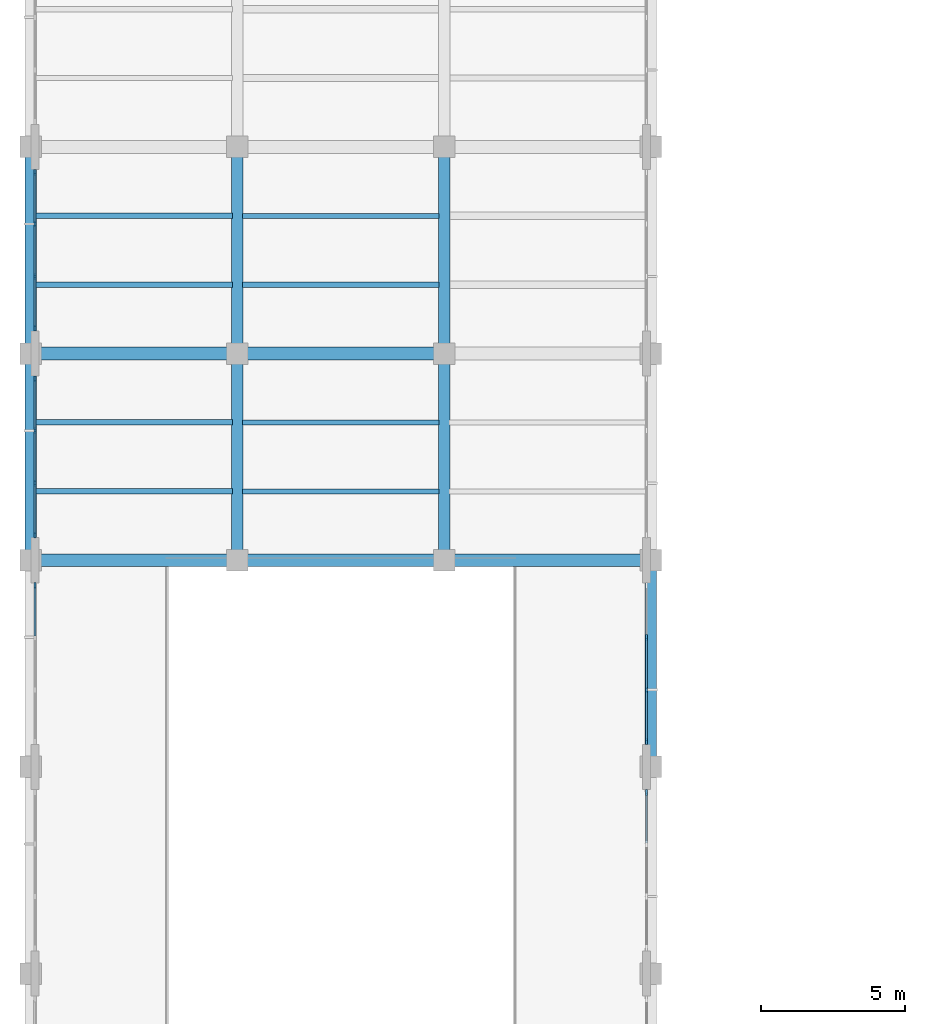
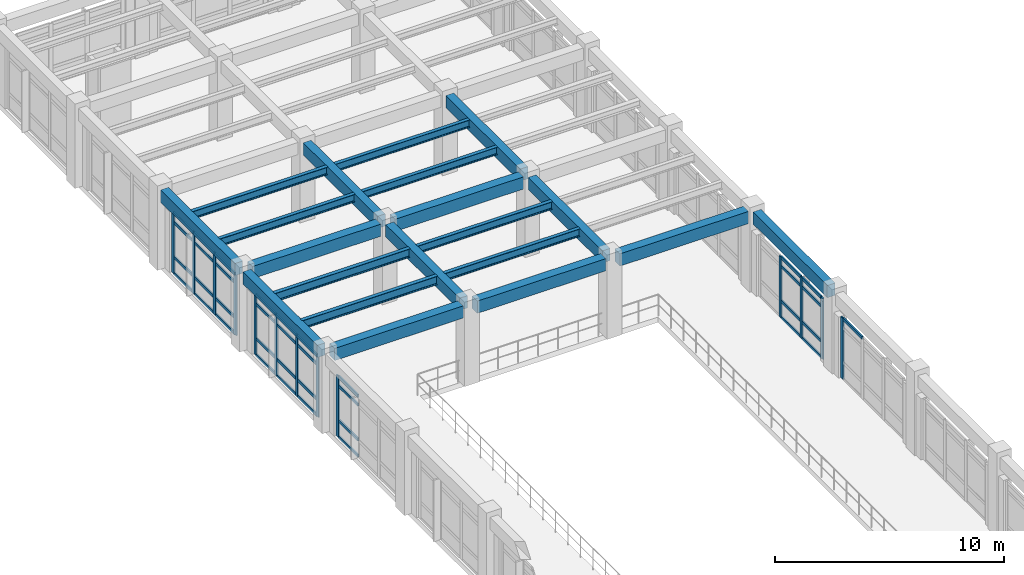
# One storey, part 10 of 64: 50 members, 20 beams, 5 elements without a shape of their own.
"""IFC4 building model written with IfcOpenShell, lengths in metres."""

from ifc_helpers import new_model, si_unit, direction, frame, origin, origin_2d, place, context, subcontext, project, spatial, rectangle, i_section, extrude, material, layer, layer_set, material_profile, profile_set, type_object, element, aggregate, save


model = new_model("IFC4")

# Units and contexts
model_context = context("Model", 3, precision=1e-05, world=origin(), true_north=direction((0.0, 1.0)))
body_context = subcontext(model_context, "Body", "Model", "MODEL_VIEW")
ifc_project = project(units=[si_unit("LENGTHUNIT", "METRE"), si_unit("AREAUNIT", "SQUARE_METRE"), si_unit("VOLUMEUNIT", "CUBIC_METRE"), si_unit("PLANEANGLEUNIT", "RADIAN"), si_unit("MASSUNIT", "GRAM", prefix="KILO")], contexts=[model_context])

# Site, building, storey
site_placement = place(None, origin())
site = spatial("IfcSite", under=ifc_project, at=site_placement, CompositionType="ELEMENT")
building_placement = place(site_placement, origin())
building = spatial("IfcBuilding", under=site, at=building_placement, Name="Solenvale Faculty of Natural Sciences", CompositionType="ELEMENT")
storey_placement = place(building_placement, frame((0.0, 0.0, 18.0)))
storey = spatial("IfcBuildingStorey", under=building, at=storey_placement, Name="L04", CompositionType="ELEMENT", Elevation=18.0)

# Beams
ifc_material_1 = material(Name="Concrete 40 MPa", Category="concrete")
ifc_material_profile_1 = material_profile(ifc_material_1, rectangle(XDim=0.39990234375, YDim=0.64990234375, at=origin_2d()), Name="RC-BM-400x650")
ifc_profile_set_1 = profile_set([ifc_material_profile_1], Name="Concrete 40 MPa")
beam_type_1 = type_object("IfcBeamType", Name="BM-RC-400x650", PredefinedType="BEAM", material=ifc_profile_set_1)
for number, where, z_axis, x_axis, name in (
    (1, (36.0, 65.155029296875, 3.89501953125), (0.0, 1.0, 0.0), (-1.0, 0.0, 0.0), "L04 Y-Girder X36.0 (64.8..72.0)"),
    (2, (36.0, 72.35498046875, 3.89501953125), (0.0, 1.0, 0.0), (-1.0, 0.0, 0.0), "L04 Y-Girder X36.0 (72.0..79.2)"),
    (3, (43.199951171875, 65.155029296875, 3.89501953125), (0.0, 1.0, 0.0), (-1.0, 0.0, 0.0), "L04 Y-Girder X43.2 (64.8..72.0)"),
    (4, (43.199951171875, 72.35498046875, 3.89501953125), (0.0, 1.0, 0.0), (-1.0, 0.0, 0.0), "L04 Y-Girder X43.2 (72.0..79.2)"),
    (5, (50.39990234375, 65.155029296875, 3.89501953125), (0.0, 1.0, 0.0), (-1.0, 0.0, 0.0), "L04 Y-Girder X50.4 (64.8..72.0)"),
    (6, (50.39990234375, 72.35498046875, 3.89501953125), (0.0, 1.0, 0.0), (-1.0, 0.0, 0.0), "L04 Y-Girder X50.4 (72.0..79.2)"),
    (7, (57.60009765625, 57.955078125, 3.89501953125), (0.0, 1.0, 0.0), (-1.0, 0.0, 0.0), "L04 Y-Girder X57.6 (57.6..64.8)"),
):
    element("IfcBeam", number, at=place(storey_placement, frame(where, z_axis=z_axis, x_axis=x_axis)), inside=storey, type_object=beam_type_1, Name=name, PredefinedType="BEAM", context=body_context, shape_type="SweptSolid", body=[
        extrude(rectangle(XDim=0.39990234375, YDim=0.64990234375, at=origin_2d()), origin(), (0.0, 0.0, 1.0), 6.489990234375),
    ])
ifc_material_profile_2 = material_profile(ifc_material_1, rectangle(XDim=0.449951171875, YDim=0.64990234375, at=origin_2d()), Name="RC-BM-450x650")
ifc_profile_set_2 = profile_set([ifc_material_profile_2], Name="Concrete 40 MPa")
beam_type_2 = type_object("IfcBeamType", Name="BM-RC-450x650", PredefinedType="BEAM", material=ifc_profile_set_2)
for number, where, z_axis, x_axis, name in (
    (8, (36.35498046875, 64.800048828125, 3.89501953125), (1.0, 0.0, 0.0), (0.0, 1.0, 0.0), "L04 X-Girder Y64.8 (36.0..43.2)"),
    (9, (43.554931640625, 64.800048828125, 3.89501953125), (1.0, 0.0, 0.0), (0.0, 1.0, 0.0), "L04 X-Girder Y64.8 (43.2..50.4)"),
):
    element("IfcBeam", number, at=place(storey_placement, frame(where, z_axis=z_axis, x_axis=x_axis)), inside=storey, type_object=beam_type_2, Name=name, PredefinedType="BEAM", context=body_context, shape_type="SweptSolid", body=[
        extrude(rectangle(XDim=0.449951171875, YDim=0.64990234375, at=origin_2d()), origin(), (0.0, 0.0, 1.0), 6.489990234375),
    ])
beam_placement = place(storey_placement, frame((50.7548828125, 64.800048828125, 3.89501953125), z_axis=(1.0, 0.0, 0.0), x_axis=(0.0, 1.0, 0.0)))
element("IfcBeam", 10, at=beam_placement, inside=storey, type_object=beam_type_2, Name="L04 X-Girder Y64.8 (50.4..57.6)", PredefinedType="BEAM", context=body_context, shape_type="SweptSolid", body=[
    extrude(rectangle(XDim=0.449951171875, YDim=0.64990234375, at=origin_2d()), origin(), (0.0, 0.0, 1.0), 6.490234375),
])
for number, where, z_axis, x_axis, name in (
    (11, (36.35498046875, 72.0, 3.89501953125), (1.0, 0.0, 0.0), (0.0, 1.0, 0.0), "L04 X-Girder Y72.0 (36.0..43.2)"),
    (12, (43.554931640625, 72.0, 3.89501953125), (1.0, 0.0, 0.0), (0.0, 1.0, 0.0), "L04 X-Girder Y72.0 (43.2..50.4)"),
):
    element("IfcBeam", number, at=place(storey_placement, frame(where, z_axis=z_axis, x_axis=x_axis)), inside=storey, type_object=beam_type_2, Name=name, PredefinedType="BEAM", context=body_context, shape_type="SweptSolid", body=[
        extrude(rectangle(XDim=0.449951171875, YDim=0.64990234375, at=origin_2d()), origin(), (0.0, 0.0, 1.0), 6.489990234375),
    ])
ifc_material_2 = material(Name="Steel S355", Category="steel")
ifc_material_profile_3 = material_profile(ifc_material_2, i_section(OverallWidth=0.178955078125, OverallDepth=0.409912109375, WebThickness=0.0087890625, FlangeThickness=0.014404296875, FilletRadius=0.01611328125, at=origin_2d()), Name="W410x67")
ifc_profile_set_3 = profile_set([ifc_material_profile_3], Name="Steel S355")
beam_type_3 = type_object("IfcBeamType", Name="BM-STL-W410x67", PredefinedType="JOIST", material=ifc_profile_set_3)
for number, where, z_axis, x_axis, name in (
    (13, (43.3798828125, 74.39990234375, 4.014892578125), (1.0, 0.0, 0.0), (0.0, 1.0, 0.0), "L04 Composite Floor Joist (7,11).1"),
    (14, (43.3798828125, 76.800048828125, 4.014892578125), (1.0, 0.0, 0.0), (0.0, 1.0, 0.0), "L04 Composite Floor Joist (7,11).2"),
):
    element("IfcBeam", number, at=place(storey_placement, frame(where, z_axis=z_axis, x_axis=x_axis)), inside=storey, type_object=beam_type_3, Name=name, PredefinedType="JOIST", context=body_context, shape_type="SweptSolid", body=[
        extrude(i_section(OverallWidth=0.178955078125, OverallDepth=0.409912109375, WebThickness=0.0087890625, FlangeThickness=0.014404296875, FilletRadius=0.01611328125, at=origin_2d()), origin(), (0.0, 0.0, 1.0), 6.840087890625),
    ])
ifc_material_profile_4 = material_profile(ifc_material_2, i_section(OverallWidth=0.180908203125, OverallDepth=0.4169921875, WebThickness=0.010986328125, FlangeThickness=0.018310546875, FilletRadius=0.01611328125, at=origin_2d()), Name="W410x85")
ifc_profile_set_4 = profile_set([ifc_material_profile_4], Name="Steel S355")
beam_type_4 = type_object("IfcBeamType", Name="BM-STL-W410x85", PredefinedType="JOIST", material=ifc_profile_set_4)
for number, where, z_axis, x_axis, name in (
    (15, (36.179931640625, 74.39990234375, 4.011474609375), (1.0, 0.0, 0.0), (0.0, 1.0, 0.0), "L04 Composite Floor Joist (6,11).1"),
    (16, (36.179931640625, 76.800048828125, 4.011474609375), (1.0, 0.0, 0.0), (0.0, 1.0, 0.0), "L04 Composite Floor Joist (6,11).2"),
    (17, (43.3798828125, 67.199951171875, 4.011474609375), (1.0, 0.0, 0.0), (0.0, 1.0, 0.0), "L04 Composite Floor Joist (7,10).1"),
    (18, (43.3798828125, 69.60009765625, 4.011474609375), (1.0, 0.0, 0.0), (0.0, 1.0, 0.0), "L04 Composite Floor Joist (7,10).2"),
):
    element("IfcBeam", number, at=place(storey_placement, frame(where, z_axis=z_axis, x_axis=x_axis)), inside=storey, type_object=beam_type_4, Name=name, PredefinedType="JOIST", context=body_context, shape_type="SweptSolid", body=[
        extrude(i_section(OverallWidth=0.180908203125, OverallDepth=0.4169921875, WebThickness=0.010986328125, FlangeThickness=0.018310546875, FilletRadius=0.01611328125, at=origin_2d()), origin(), (0.0, 0.0, 1.0), 6.840087890625),
    ])
ifc_material_profile_5 = material_profile(ifc_material_2, i_section(OverallWidth=0.19091796875, OverallDepth=0.4599609375, WebThickness=0.010009765625, FlangeThickness=0.01611328125, FilletRadius=0.01806640625, at=origin_2d()), Name="W460x82")
ifc_profile_set_5 = profile_set([ifc_material_profile_5], Name="Steel S355")
beam_type_5 = type_object("IfcBeamType", Name="BM-STL-W460x82", PredefinedType="JOIST", material=ifc_profile_set_5)
for number, where, z_axis, x_axis, name in (
    (19, (36.179931640625, 67.199951171875, 3.989990234375), (1.0, 0.0, 0.0), (0.0, 1.0, 0.0), "L04 Composite Floor Joist (6,10).1"),
    (20, (36.179931640625, 69.60009765625, 3.989990234375), (1.0, 0.0, 0.0), (0.0, 1.0, 0.0), "L04 Composite Floor Joist (6,10).2"),
):
    element("IfcBeam", number, at=place(storey_placement, frame(where, z_axis=z_axis, x_axis=x_axis)), inside=storey, type_object=beam_type_5, Name=name, PredefinedType="JOIST", context=body_context, shape_type="SweptSolid", body=[
        extrude(i_section(OverallWidth=0.19091796875, OverallDepth=0.4599609375, WebThickness=0.010009765625, FlangeThickness=0.01611328125, FilletRadius=0.01806640625, at=origin_2d()), origin(), (0.0, 0.0, 1.0), 6.840087890625),
    ])

# Curtain wall, member
ifc_material_3 = material(Name="Anodised bronze aluminium", Category="aluminium")
ifc_layer = layer(ifc_material_3, 0.215087890625)
ifc_layer_set = layer_set([ifc_layer], Name="Anodised bronze aluminium")
curtain_wall_type = type_object("IfcCurtainWallType", Name="CW-ATR-UNIT", PredefinedType="USERDEFINED", material=ifc_layer_set)
curtain_wall_1_placement = place(storey_placement, origin())
curtain_wall_1 = element("IfcCurtainWall", 21, at=curtain_wall_1_placement, inside=storey, type_object=curtain_wall_type, Name="L04 Curtain Wall CW-L04-P1-E1-B3", ObjectType="UNITISED CURTAIN WALL", PredefinedType="USERDEFINED")
ifc_material_profile_6 = material_profile(ifc_material_3, rectangle(XDim=0.074951171875, YDim=0.2099609375, at=origin_2d()), Name="ALU-MUL-75x210")
ifc_profile_set_6 = profile_set([ifc_material_profile_6], Name="Anodised bronze aluminium")
member_type_1 = type_object("IfcMemberType", Name="CWM-ALU-75x210", PredefinedType="MULLION", material=ifc_profile_set_6)
member_1_placement = place(storey_placement, frame((57.45751953125, 56.71240234375, 0.0), z_axis=(0.0, 0.0, 1.0), x_axis=(-1.0, 0.0, 0.0)))
member_1 = element("IfcMember", 22, at=member_1_placement, type_object=member_type_1, Name="CW-01 mullion 4", PredefinedType="MULLION", context=body_context, shape_type="SweptSolid", body=[
    extrude(rectangle(XDim=0.074951171875, YDim=0.2099609375, at=origin_2d()), origin(), (0.0, 0.0, 1.0), 3.260009765625),
])

# Curtain wall, members
curtain_wall_2_placement = place(storey_placement, origin())
curtain_wall_2 = element("IfcCurtainWall", 23, at=curtain_wall_2_placement, inside=storey, type_object=curtain_wall_type, Name="L04 Curtain Wall CW-L04-P1-E1-B4", ObjectType="UNITISED CURTAIN WALL", PredefinedType="USERDEFINED")
member_2_placement = place(storey_placement, frame((57.45751953125, 58.487548828125, 0.0), z_axis=(0.0, 0.0, 1.0), x_axis=(-1.0, 0.0, 0.0)))
member_2 = element("IfcMember", 24, at=member_2_placement, type_object=member_type_1, Name="CW-01 mullion 1", PredefinedType="MULLION", context=body_context, shape_type="SweptSolid", body=[
    extrude(rectangle(XDim=0.074951171875, YDim=0.2099609375, at=origin_2d()), origin(), (0.0, 0.0, 1.0), 3.260009765625),
])
member_3_placement = place(storey_placement, frame((57.45751953125, 60.283447265625, 0.0), z_axis=(0.0, 0.0, 1.0), x_axis=(-1.0, 0.0, 0.0)))
member_3 = element("IfcMember", 25, at=member_3_placement, type_object=member_type_1, Name="CW-01 mullion 2", PredefinedType="MULLION", context=body_context, shape_type="SweptSolid", body=[
    extrude(rectangle(XDim=0.074951171875, YDim=0.2099609375, at=origin_2d()), origin(), (0.0, 0.0, 1.0), 3.260009765625),
])
member_4_placement = place(storey_placement, frame((57.45751953125, 62.11669921875, 0.0), z_axis=(0.0, 0.0, 1.0), x_axis=(-1.0, 0.0, 0.0)))
member_4 = element("IfcMember", 26, at=member_4_placement, type_object=member_type_1, Name="CW-01 mullion 3", PredefinedType="MULLION", context=body_context, shape_type="SweptSolid", body=[
    extrude(rectangle(XDim=0.074951171875, YDim=0.2099609375, at=origin_2d()), origin(), (0.0, 0.0, 1.0), 3.260009765625),
])

curtain_wall_3_placement = place(storey_placement, origin())
curtain_wall_3 = element("IfcCurtainWall", 27, at=curtain_wall_3_placement, inside=storey, type_object=curtain_wall_type, Name="L04 Curtain Wall CW-L04-P1-E3-B3", ObjectType="UNITISED CURTAIN WALL", PredefinedType="USERDEFINED")
member_5_placement = place(storey_placement, frame((36.142578125, 78.3125, 0.0), z_axis=(0.0, 0.0, 1.0), x_axis=(1.0, 0.0, 0.0)))
member_5 = element("IfcMember", 28, at=member_5_placement, type_object=member_type_1, Name="CW-01 mullion 1", PredefinedType="MULLION", context=body_context, shape_type="SweptSolid", body=[
    extrude(rectangle(XDim=0.074951171875, YDim=0.2099609375, at=origin_2d()), origin(), (0.0, 0.0, 1.0), 3.260009765625),
])
member_6_placement = place(storey_placement, frame((36.142578125, 76.5166015625, 0.0), z_axis=(0.0, 0.0, 1.0), x_axis=(1.0, 0.0, 0.0)))
member_6 = element("IfcMember", 29, at=member_6_placement, type_object=member_type_1, Name="CW-01 mullion 2", PredefinedType="MULLION", context=body_context, shape_type="SweptSolid", body=[
    extrude(rectangle(XDim=0.074951171875, YDim=0.2099609375, at=origin_2d()), origin(), (0.0, 0.0, 1.0), 3.260009765625),
])
member_7_placement = place(storey_placement, frame((36.142578125, 74.683349609375, 0.0), z_axis=(0.0, 0.0, 1.0), x_axis=(1.0, 0.0, 0.0)))
member_7 = element("IfcMember", 30, at=member_7_placement, type_object=member_type_1, Name="CW-01 mullion 3", PredefinedType="MULLION", context=body_context, shape_type="SweptSolid", body=[
    extrude(rectangle(XDim=0.074951171875, YDim=0.2099609375, at=origin_2d()), origin(), (0.0, 0.0, 1.0), 3.260009765625),
])
member_8_placement = place(storey_placement, frame((36.142578125, 72.887451171875, 0.0), z_axis=(0.0, 0.0, 1.0), x_axis=(1.0, 0.0, 0.0)))
member_8 = element("IfcMember", 31, at=member_8_placement, type_object=member_type_1, Name="CW-01 mullion 4", PredefinedType="MULLION", context=body_context, shape_type="SweptSolid", body=[
    extrude(rectangle(XDim=0.074951171875, YDim=0.2099609375, at=origin_2d()), origin(), (0.0, 0.0, 1.0), 3.260009765625),
])

curtain_wall_4_placement = place(storey_placement, origin())
curtain_wall_4 = element("IfcCurtainWall", 32, at=curtain_wall_4_placement, inside=storey, type_object=curtain_wall_type, Name="L04 Curtain Wall CW-L04-P1-E3-B4", ObjectType="UNITISED CURTAIN WALL", PredefinedType="USERDEFINED")
member_9_placement = place(storey_placement, frame((36.142578125, 71.112548828125, 0.0), z_axis=(0.0, 0.0, 1.0), x_axis=(1.0, 0.0, 0.0)))
member_9 = element("IfcMember", 33, at=member_9_placement, type_object=member_type_1, Name="CW-01 mullion 1", PredefinedType="MULLION", context=body_context, shape_type="SweptSolid", body=[
    extrude(rectangle(XDim=0.074951171875, YDim=0.2099609375, at=origin_2d()), origin(), (0.0, 0.0, 1.0), 3.260009765625),
])
member_10_placement = place(storey_placement, frame((36.142578125, 69.316650390625, 0.0), z_axis=(0.0, 0.0, 1.0), x_axis=(1.0, 0.0, 0.0)))
member_10 = element("IfcMember", 34, at=member_10_placement, type_object=member_type_1, Name="CW-01 mullion 2", PredefinedType="MULLION", context=body_context, shape_type="SweptSolid", body=[
    extrude(rectangle(XDim=0.074951171875, YDim=0.2099609375, at=origin_2d()), origin(), (0.0, 0.0, 1.0), 3.260009765625),
])
member_11_placement = place(storey_placement, frame((36.142578125, 67.4833984375, 0.0), z_axis=(0.0, 0.0, 1.0), x_axis=(1.0, 0.0, 0.0)))
member_11 = element("IfcMember", 35, at=member_11_placement, type_object=member_type_1, Name="CW-01 mullion 3", PredefinedType="MULLION", context=body_context, shape_type="SweptSolid", body=[
    extrude(rectangle(XDim=0.074951171875, YDim=0.2099609375, at=origin_2d()), origin(), (0.0, 0.0, 1.0), 3.260009765625),
])
member_12_placement = place(storey_placement, frame((36.142578125, 65.6875, 0.0), z_axis=(0.0, 0.0, 1.0), x_axis=(1.0, 0.0, 0.0)))
member_12 = element("IfcMember", 36, at=member_12_placement, type_object=member_type_1, Name="CW-01 mullion 4", PredefinedType="MULLION", context=body_context, shape_type="SweptSolid", body=[
    extrude(rectangle(XDim=0.074951171875, YDim=0.2099609375, at=origin_2d()), origin(), (0.0, 0.0, 1.0), 3.260009765625),
])

# Curtain wall, member
curtain_wall_5_placement = place(storey_placement, origin())
curtain_wall_5 = element("IfcCurtainWall", 37, at=curtain_wall_5_placement, inside=storey, type_object=curtain_wall_type, Name="L04 Curtain Wall CW-L04-P1-E3-B5", ObjectType="UNITISED CURTAIN WALL", PredefinedType="USERDEFINED")
member_13_placement = place(storey_placement, frame((36.142578125, 63.91259765625, 0.0), z_axis=(0.0, 0.0, 1.0), x_axis=(1.0, 0.0, 0.0)))
member_13 = element("IfcMember", 38, at=member_13_placement, type_object=member_type_1, Name="CW-01 mullion 1", PredefinedType="MULLION", context=body_context, shape_type="SweptSolid", body=[
    extrude(rectangle(XDim=0.074951171875, YDim=0.2099609375, at=origin_2d()), origin(), (0.0, 0.0, 1.0), 3.260009765625),
])

# Member
ifc_material_profile_7 = material_profile(ifc_material_3, rectangle(XDim=0.074951171875, YDim=0.155029296875, at=origin_2d()), Name="ALU-TRN-75x155")
ifc_profile_set_7 = profile_set([ifc_material_profile_7], Name="Anodised bronze aluminium")
member_type_2 = type_object("IfcMemberType", Name="CWT-ALU-75x155", PredefinedType="USERDEFINED", material=ifc_profile_set_7)
member_14_placement = place(storey_placement, frame((57.45751953125, 54.9541015625, 3.222412109375), z_axis=(0.0, 1.0, 0.0), x_axis=(-1.0, 0.0, 0.0)))
member_14 = element("IfcMember", 39, at=member_14_placement, type_object=member_type_2, Name="CW-01 transom 3.4", ObjectType="TRANSOM", PredefinedType="USERDEFINED", context=body_context, shape_type="SweptSolid", body=[
    extrude(rectangle(XDim=0.074951171875, YDim=0.155029296875, at=origin_2d()), origin(), (0.0, 0.0, 1.0), 1.720947265625),
])

aggregate(curtain_wall_1, [member_1, member_14])

member_15_placement = place(storey_placement, frame((57.45751953125, 58.52490234375, 0.03759765625), z_axis=(0.0, 1.0, 0.0), x_axis=(-1.0, 0.0, 0.0)))
member_15 = element("IfcMember", 40, at=member_15_placement, type_object=member_type_2, Name="CW-01 transom 1.1", ObjectType="TRANSOM", PredefinedType="USERDEFINED", context=body_context, shape_type="SweptSolid", body=[
    extrude(rectangle(XDim=0.074951171875, YDim=0.155029296875, at=origin_2d()), origin(), (0.0, 0.0, 1.0), 1.720947265625),
])

member_16_placement = place(storey_placement, frame((57.45751953125, 58.52490234375, 0.89990234375), z_axis=(0.0, 1.0, 0.0), x_axis=(-1.0, 0.0, 0.0)))
member_16 = element("IfcMember", 41, at=member_16_placement, type_object=member_type_2, Name="CW-01 transom 1.2", ObjectType="TRANSOM", PredefinedType="USERDEFINED", context=body_context, shape_type="SweptSolid", body=[
    extrude(rectangle(XDim=0.074951171875, YDim=0.155029296875, at=origin_2d()), origin(), (0.0, 0.0, 1.0), 1.720947265625),
])

member_17_placement = place(storey_placement, frame((57.45751953125, 58.52490234375, 2.760009765625), z_axis=(0.0, 1.0, 0.0), x_axis=(-1.0, 0.0, 0.0)))
member_17 = element("IfcMember", 42, at=member_17_placement, type_object=member_type_2, Name="CW-01 transom 1.3", ObjectType="TRANSOM", PredefinedType="USERDEFINED", context=body_context, shape_type="SweptSolid", body=[
    extrude(rectangle(XDim=0.074951171875, YDim=0.155029296875, at=origin_2d()), origin(), (0.0, 0.0, 1.0), 1.720947265625),
])

member_18_placement = place(storey_placement, frame((57.45751953125, 58.52490234375, 3.222412109375), z_axis=(0.0, 1.0, 0.0), x_axis=(-1.0, 0.0, 0.0)))
member_18 = element("IfcMember", 43, at=member_18_placement, type_object=member_type_2, Name="CW-01 transom 1.4", ObjectType="TRANSOM", PredefinedType="USERDEFINED", context=body_context, shape_type="SweptSolid", body=[
    extrude(rectangle(XDim=0.074951171875, YDim=0.155029296875, at=origin_2d()), origin(), (0.0, 0.0, 1.0), 1.720947265625),
])

member_19_placement = place(storey_placement, frame((57.45751953125, 60.32080078125, 0.03759765625), z_axis=(0.0, 1.0, 0.0), x_axis=(-1.0, 0.0, 0.0)))
member_19 = element("IfcMember", 44, at=member_19_placement, type_object=member_type_2, Name="CW-01 transom 2.1", ObjectType="TRANSOM", PredefinedType="USERDEFINED", context=body_context, shape_type="SweptSolid", body=[
    extrude(rectangle(XDim=0.074951171875, YDim=0.155029296875, at=origin_2d()), origin(), (0.0, 0.0, 1.0), 1.75830078125),
])

member_20_placement = place(storey_placement, frame((57.45751953125, 60.32080078125, 0.89990234375), z_axis=(0.0, 1.0, 0.0), x_axis=(-1.0, 0.0, 0.0)))
member_20 = element("IfcMember", 45, at=member_20_placement, type_object=member_type_2, Name="CW-01 transom 2.2", ObjectType="TRANSOM", PredefinedType="USERDEFINED", context=body_context, shape_type="SweptSolid", body=[
    extrude(rectangle(XDim=0.074951171875, YDim=0.155029296875, at=origin_2d()), origin(), (0.0, 0.0, 1.0), 1.75830078125),
])

member_21_placement = place(storey_placement, frame((57.45751953125, 60.32080078125, 2.760009765625), z_axis=(0.0, 1.0, 0.0), x_axis=(-1.0, 0.0, 0.0)))
member_21 = element("IfcMember", 46, at=member_21_placement, type_object=member_type_2, Name="CW-01 transom 2.3", ObjectType="TRANSOM", PredefinedType="USERDEFINED", context=body_context, shape_type="SweptSolid", body=[
    extrude(rectangle(XDim=0.074951171875, YDim=0.155029296875, at=origin_2d()), origin(), (0.0, 0.0, 1.0), 1.75830078125),
])

member_22_placement = place(storey_placement, frame((57.45751953125, 60.32080078125, 3.222412109375), z_axis=(0.0, 1.0, 0.0), x_axis=(-1.0, 0.0, 0.0)))
member_22 = element("IfcMember", 47, at=member_22_placement, type_object=member_type_2, Name="CW-01 transom 2.4", ObjectType="TRANSOM", PredefinedType="USERDEFINED", context=body_context, shape_type="SweptSolid", body=[
    extrude(rectangle(XDim=0.074951171875, YDim=0.155029296875, at=origin_2d()), origin(), (0.0, 0.0, 1.0), 1.75830078125),
])

aggregate(curtain_wall_2, [member_2, member_3, member_4, member_15, member_16, member_17, member_18, member_19, member_20, member_21, member_22])

member_23_placement = place(storey_placement, frame((36.142578125, 78.27490234375, 0.03759765625), z_axis=(0.0, -1.0, 0.0), x_axis=(1.0, 0.0, 0.0)))
member_23 = element("IfcMember", 48, at=member_23_placement, type_object=member_type_2, Name="CW-01 transom 1.1", ObjectType="TRANSOM", PredefinedType="USERDEFINED", context=body_context, shape_type="SweptSolid", body=[
    extrude(rectangle(XDim=0.074951171875, YDim=0.155029296875, at=origin_2d()), origin(), (0.0, 0.0, 1.0), 1.720703125),
])

member_24_placement = place(storey_placement, frame((36.142578125, 78.27490234375, 0.89990234375), z_axis=(0.0, -1.0, 0.0), x_axis=(1.0, 0.0, 0.0)))
member_24 = element("IfcMember", 49, at=member_24_placement, type_object=member_type_2, Name="CW-01 transom 1.2", ObjectType="TRANSOM", PredefinedType="USERDEFINED", context=body_context, shape_type="SweptSolid", body=[
    extrude(rectangle(XDim=0.074951171875, YDim=0.155029296875, at=origin_2d()), origin(), (0.0, 0.0, 1.0), 1.720703125),
])

member_25_placement = place(storey_placement, frame((36.142578125, 78.27490234375, 2.760009765625), z_axis=(0.0, -1.0, 0.0), x_axis=(1.0, 0.0, 0.0)))
member_25 = element("IfcMember", 50, at=member_25_placement, type_object=member_type_2, Name="CW-01 transom 1.3", ObjectType="TRANSOM", PredefinedType="USERDEFINED", context=body_context, shape_type="SweptSolid", body=[
    extrude(rectangle(XDim=0.074951171875, YDim=0.155029296875, at=origin_2d()), origin(), (0.0, 0.0, 1.0), 1.720703125),
])

member_26_placement = place(storey_placement, frame((36.142578125, 78.27490234375, 3.222412109375), z_axis=(0.0, -1.0, 0.0), x_axis=(1.0, 0.0, 0.0)))
member_26 = element("IfcMember", 51, at=member_26_placement, type_object=member_type_2, Name="CW-01 transom 1.4", ObjectType="TRANSOM", PredefinedType="USERDEFINED", context=body_context, shape_type="SweptSolid", body=[
    extrude(rectangle(XDim=0.074951171875, YDim=0.155029296875, at=origin_2d()), origin(), (0.0, 0.0, 1.0), 1.720703125),
])

member_27_placement = place(storey_placement, frame((36.142578125, 76.479248046875, 0.03759765625), z_axis=(0.0, -1.0, 0.0), x_axis=(1.0, 0.0, 0.0)))
member_27 = element("IfcMember", 52, at=member_27_placement, type_object=member_type_2, Name="CW-01 transom 2.1", ObjectType="TRANSOM", PredefinedType="USERDEFINED", context=body_context, shape_type="SweptSolid", body=[
    extrude(rectangle(XDim=0.074951171875, YDim=0.155029296875, at=origin_2d()), origin(), (0.0, 0.0, 1.0), 1.75830078125),
])

member_28_placement = place(storey_placement, frame((36.142578125, 76.479248046875, 0.89990234375), z_axis=(0.0, -1.0, 0.0), x_axis=(1.0, 0.0, 0.0)))
member_28 = element("IfcMember", 53, at=member_28_placement, type_object=member_type_2, Name="CW-01 transom 2.2", ObjectType="TRANSOM", PredefinedType="USERDEFINED", context=body_context, shape_type="SweptSolid", body=[
    extrude(rectangle(XDim=0.074951171875, YDim=0.155029296875, at=origin_2d()), origin(), (0.0, 0.0, 1.0), 1.75830078125),
])

member_29_placement = place(storey_placement, frame((36.142578125, 76.479248046875, 2.760009765625), z_axis=(0.0, -1.0, 0.0), x_axis=(1.0, 0.0, 0.0)))
member_29 = element("IfcMember", 54, at=member_29_placement, type_object=member_type_2, Name="CW-01 transom 2.3", ObjectType="TRANSOM", PredefinedType="USERDEFINED", context=body_context, shape_type="SweptSolid", body=[
    extrude(rectangle(XDim=0.074951171875, YDim=0.155029296875, at=origin_2d()), origin(), (0.0, 0.0, 1.0), 1.75830078125),
])

member_30_placement = place(storey_placement, frame((36.142578125, 76.479248046875, 3.222412109375), z_axis=(0.0, -1.0, 0.0), x_axis=(1.0, 0.0, 0.0)))
member_30 = element("IfcMember", 55, at=member_30_placement, type_object=member_type_2, Name="CW-01 transom 2.4", ObjectType="TRANSOM", PredefinedType="USERDEFINED", context=body_context, shape_type="SweptSolid", body=[
    extrude(rectangle(XDim=0.074951171875, YDim=0.155029296875, at=origin_2d()), origin(), (0.0, 0.0, 1.0), 1.75830078125),
])

member_31_placement = place(storey_placement, frame((36.142578125, 74.645751953125, 0.03759765625), z_axis=(0.0, -1.0, 0.0), x_axis=(1.0, 0.0, 0.0)))
member_31 = element("IfcMember", 56, at=member_31_placement, type_object=member_type_2, Name="CW-01 transom 3.1", ObjectType="TRANSOM", PredefinedType="USERDEFINED", context=body_context, shape_type="SweptSolid", body=[
    extrude(rectangle(XDim=0.074951171875, YDim=0.155029296875, at=origin_2d()), origin(), (0.0, 0.0, 1.0), 1.720703125),
])

member_32_placement = place(storey_placement, frame((36.142578125, 74.645751953125, 0.89990234375), z_axis=(0.0, -1.0, 0.0), x_axis=(1.0, 0.0, 0.0)))
member_32 = element("IfcMember", 57, at=member_32_placement, type_object=member_type_2, Name="CW-01 transom 3.2", ObjectType="TRANSOM", PredefinedType="USERDEFINED", context=body_context, shape_type="SweptSolid", body=[
    extrude(rectangle(XDim=0.074951171875, YDim=0.155029296875, at=origin_2d()), origin(), (0.0, 0.0, 1.0), 1.720703125),
])

member_33_placement = place(storey_placement, frame((36.142578125, 74.645751953125, 2.760009765625), z_axis=(0.0, -1.0, 0.0), x_axis=(1.0, 0.0, 0.0)))
member_33 = element("IfcMember", 58, at=member_33_placement, type_object=member_type_2, Name="CW-01 transom 3.3", ObjectType="TRANSOM", PredefinedType="USERDEFINED", context=body_context, shape_type="SweptSolid", body=[
    extrude(rectangle(XDim=0.074951171875, YDim=0.155029296875, at=origin_2d()), origin(), (0.0, 0.0, 1.0), 1.720703125),
])

member_34_placement = place(storey_placement, frame((36.142578125, 74.645751953125, 3.222412109375), z_axis=(0.0, -1.0, 0.0), x_axis=(1.0, 0.0, 0.0)))
member_34 = element("IfcMember", 59, at=member_34_placement, type_object=member_type_2, Name="CW-01 transom 3.4", ObjectType="TRANSOM", PredefinedType="USERDEFINED", context=body_context, shape_type="SweptSolid", body=[
    extrude(rectangle(XDim=0.074951171875, YDim=0.155029296875, at=origin_2d()), origin(), (0.0, 0.0, 1.0), 1.720703125),
])

aggregate(curtain_wall_3, [member_5, member_6, member_7, member_8, member_23, member_24, member_25, member_26, member_27, member_28, member_29, member_30, member_31, member_32, member_33, member_34])

member_35_placement = place(storey_placement, frame((36.142578125, 71.074951171875, 0.03759765625), z_axis=(0.0, -1.0, 0.0), x_axis=(1.0, 0.0, 0.0)))
member_35 = element("IfcMember", 60, at=member_35_placement, type_object=member_type_2, Name="CW-01 transom 1.1", ObjectType="TRANSOM", PredefinedType="USERDEFINED", context=body_context, shape_type="SweptSolid", body=[
    extrude(rectangle(XDim=0.074951171875, YDim=0.155029296875, at=origin_2d()), origin(), (0.0, 0.0, 1.0), 1.720703125),
])

member_36_placement = place(storey_placement, frame((36.142578125, 71.074951171875, 0.89990234375), z_axis=(0.0, -1.0, 0.0), x_axis=(1.0, 0.0, 0.0)))
member_36 = element("IfcMember", 61, at=member_36_placement, type_object=member_type_2, Name="CW-01 transom 1.2", ObjectType="TRANSOM", PredefinedType="USERDEFINED", context=body_context, shape_type="SweptSolid", body=[
    extrude(rectangle(XDim=0.074951171875, YDim=0.155029296875, at=origin_2d()), origin(), (0.0, 0.0, 1.0), 1.720703125),
])

member_37_placement = place(storey_placement, frame((36.142578125, 71.074951171875, 2.760009765625), z_axis=(0.0, -1.0, 0.0), x_axis=(1.0, 0.0, 0.0)))
member_37 = element("IfcMember", 62, at=member_37_placement, type_object=member_type_2, Name="CW-01 transom 1.3", ObjectType="TRANSOM", PredefinedType="USERDEFINED", context=body_context, shape_type="SweptSolid", body=[
    extrude(rectangle(XDim=0.074951171875, YDim=0.155029296875, at=origin_2d()), origin(), (0.0, 0.0, 1.0), 1.720703125),
])

member_38_placement = place(storey_placement, frame((36.142578125, 71.074951171875, 3.222412109375), z_axis=(0.0, -1.0, 0.0), x_axis=(1.0, 0.0, 0.0)))
member_38 = element("IfcMember", 63, at=member_38_placement, type_object=member_type_2, Name="CW-01 transom 1.4", ObjectType="TRANSOM", PredefinedType="USERDEFINED", context=body_context, shape_type="SweptSolid", body=[
    extrude(rectangle(XDim=0.074951171875, YDim=0.155029296875, at=origin_2d()), origin(), (0.0, 0.0, 1.0), 1.720703125),
])

member_39_placement = place(storey_placement, frame((36.142578125, 69.279052734375, 0.03759765625), z_axis=(0.0, -1.0, 0.0), x_axis=(1.0, 0.0, 0.0)))
member_39 = element("IfcMember", 64, at=member_39_placement, type_object=member_type_2, Name="CW-01 transom 2.1", ObjectType="TRANSOM", PredefinedType="USERDEFINED", context=body_context, shape_type="SweptSolid", body=[
    extrude(rectangle(XDim=0.074951171875, YDim=0.155029296875, at=origin_2d()), origin(), (0.0, 0.0, 1.0), 1.75830078125),
])

member_40_placement = place(storey_placement, frame((36.142578125, 69.279052734375, 0.89990234375), z_axis=(0.0, -1.0, 0.0), x_axis=(1.0, 0.0, 0.0)))
member_40 = element("IfcMember", 65, at=member_40_placement, type_object=member_type_2, Name="CW-01 transom 2.2", ObjectType="TRANSOM", PredefinedType="USERDEFINED", context=body_context, shape_type="SweptSolid", body=[
    extrude(rectangle(XDim=0.074951171875, YDim=0.155029296875, at=origin_2d()), origin(), (0.0, 0.0, 1.0), 1.75830078125),
])

member_41_placement = place(storey_placement, frame((36.142578125, 69.279052734375, 2.760009765625), z_axis=(0.0, -1.0, 0.0), x_axis=(1.0, 0.0, 0.0)))
member_41 = element("IfcMember", 66, at=member_41_placement, type_object=member_type_2, Name="CW-01 transom 2.3", ObjectType="TRANSOM", PredefinedType="USERDEFINED", context=body_context, shape_type="SweptSolid", body=[
    extrude(rectangle(XDim=0.074951171875, YDim=0.155029296875, at=origin_2d()), origin(), (0.0, 0.0, 1.0), 1.75830078125),
])

member_42_placement = place(storey_placement, frame((36.142578125, 69.279052734375, 3.222412109375), z_axis=(0.0, -1.0, 0.0), x_axis=(1.0, 0.0, 0.0)))
member_42 = element("IfcMember", 67, at=member_42_placement, type_object=member_type_2, Name="CW-01 transom 2.4", ObjectType="TRANSOM", PredefinedType="USERDEFINED", context=body_context, shape_type="SweptSolid", body=[
    extrude(rectangle(XDim=0.074951171875, YDim=0.155029296875, at=origin_2d()), origin(), (0.0, 0.0, 1.0), 1.75830078125),
])

member_43_placement = place(storey_placement, frame((36.142578125, 67.44580078125, 0.03759765625), z_axis=(0.0, -1.0, 0.0), x_axis=(1.0, 0.0, 0.0)))
member_43 = element("IfcMember", 68, at=member_43_placement, type_object=member_type_2, Name="CW-01 transom 3.1", ObjectType="TRANSOM", PredefinedType="USERDEFINED", context=body_context, shape_type="SweptSolid", body=[
    extrude(rectangle(XDim=0.074951171875, YDim=0.155029296875, at=origin_2d()), origin(), (0.0, 0.0, 1.0), 1.720703125),
])

member_44_placement = place(storey_placement, frame((36.142578125, 67.44580078125, 0.89990234375), z_axis=(0.0, -1.0, 0.0), x_axis=(1.0, 0.0, 0.0)))
member_44 = element("IfcMember", 69, at=member_44_placement, type_object=member_type_2, Name="CW-01 transom 3.2", ObjectType="TRANSOM", PredefinedType="USERDEFINED", context=body_context, shape_type="SweptSolid", body=[
    extrude(rectangle(XDim=0.074951171875, YDim=0.155029296875, at=origin_2d()), origin(), (0.0, 0.0, 1.0), 1.720703125),
])

member_45_placement = place(storey_placement, frame((36.142578125, 67.44580078125, 2.760009765625), z_axis=(0.0, -1.0, 0.0), x_axis=(1.0, 0.0, 0.0)))
member_45 = element("IfcMember", 70, at=member_45_placement, type_object=member_type_2, Name="CW-01 transom 3.3", ObjectType="TRANSOM", PredefinedType="USERDEFINED", context=body_context, shape_type="SweptSolid", body=[
    extrude(rectangle(XDim=0.074951171875, YDim=0.155029296875, at=origin_2d()), origin(), (0.0, 0.0, 1.0), 1.720703125),
])

member_46_placement = place(storey_placement, frame((36.142578125, 67.44580078125, 3.222412109375), z_axis=(0.0, -1.0, 0.0), x_axis=(1.0, 0.0, 0.0)))
member_46 = element("IfcMember", 71, at=member_46_placement, type_object=member_type_2, Name="CW-01 transom 3.4", ObjectType="TRANSOM", PredefinedType="USERDEFINED", context=body_context, shape_type="SweptSolid", body=[
    extrude(rectangle(XDim=0.074951171875, YDim=0.155029296875, at=origin_2d()), origin(), (0.0, 0.0, 1.0), 1.720703125),
])

aggregate(curtain_wall_4, [member_9, member_10, member_11, member_12, member_35, member_36, member_37, member_38, member_39, member_40, member_41, member_42, member_43, member_44, member_45, member_46])

member_47_placement = place(storey_placement, frame((36.142578125, 63.875, 0.03759765625), z_axis=(0.0, -1.0, 0.0), x_axis=(1.0, 0.0, 0.0)))
member_47 = element("IfcMember", 72, at=member_47_placement, type_object=member_type_2, Name="CW-01 transom 1.1", ObjectType="TRANSOM", PredefinedType="USERDEFINED", context=body_context, shape_type="SweptSolid", body=[
    extrude(rectangle(XDim=0.074951171875, YDim=0.155029296875, at=origin_2d()), origin(), (0.0, 0.0, 1.0), 1.720947265625),
])

member_48_placement = place(storey_placement, frame((36.142578125, 63.875, 0.89990234375), z_axis=(0.0, -1.0, 0.0), x_axis=(1.0, 0.0, 0.0)))
member_48 = element("IfcMember", 73, at=member_48_placement, type_object=member_type_2, Name="CW-01 transom 1.2", ObjectType="TRANSOM", PredefinedType="USERDEFINED", context=body_context, shape_type="SweptSolid", body=[
    extrude(rectangle(XDim=0.074951171875, YDim=0.155029296875, at=origin_2d()), origin(), (0.0, 0.0, 1.0), 1.720947265625),
])

member_49_placement = place(storey_placement, frame((36.142578125, 63.875, 2.760009765625), z_axis=(0.0, -1.0, 0.0), x_axis=(1.0, 0.0, 0.0)))
member_49 = element("IfcMember", 74, at=member_49_placement, type_object=member_type_2, Name="CW-01 transom 1.3", ObjectType="TRANSOM", PredefinedType="USERDEFINED", context=body_context, shape_type="SweptSolid", body=[
    extrude(rectangle(XDim=0.074951171875, YDim=0.155029296875, at=origin_2d()), origin(), (0.0, 0.0, 1.0), 1.720947265625),
])

member_50_placement = place(storey_placement, frame((36.142578125, 63.875, 3.222412109375), z_axis=(0.0, -1.0, 0.0), x_axis=(1.0, 0.0, 0.0)))
member_50 = element("IfcMember", 75, at=member_50_placement, type_object=member_type_2, Name="CW-01 transom 1.4", ObjectType="TRANSOM", PredefinedType="USERDEFINED", context=body_context, shape_type="SweptSolid", body=[
    extrude(rectangle(XDim=0.074951171875, YDim=0.155029296875, at=origin_2d()), origin(), (0.0, 0.0, 1.0), 1.720947265625),
])

aggregate(curtain_wall_5, [member_13, member_47, member_48, member_49, member_50])

save(model, "model.ifc")
